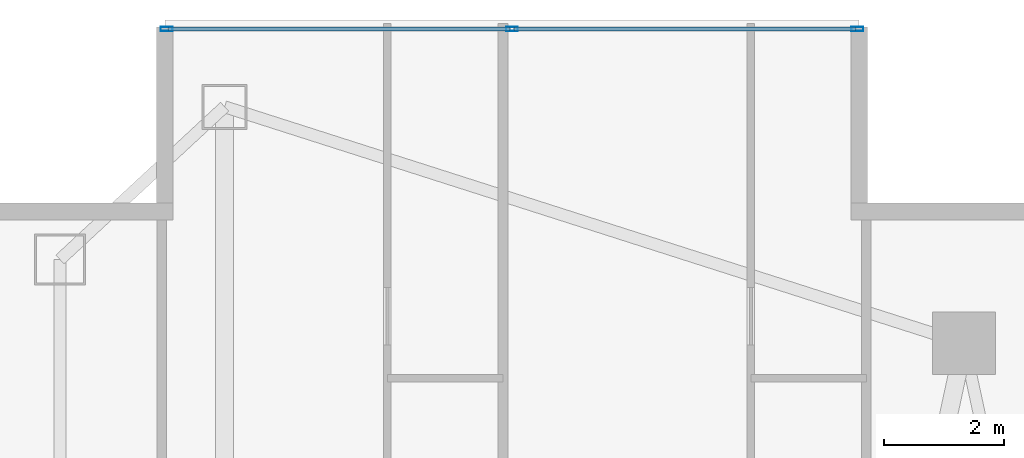
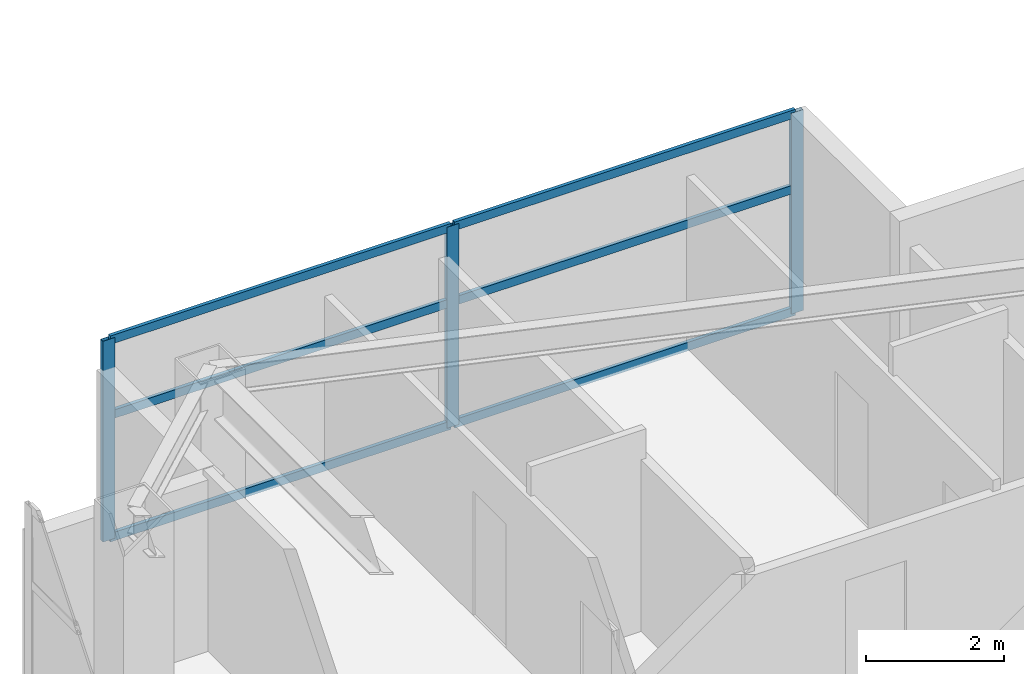
# One storey, part 19 of 28: 9 members, 1 element without a shape of its own.
"""IFC4 building model written with IfcOpenShell, lengths in metres."""

from ifc_helpers import new_model, si_unit, direction, frame, origin, origin_2d, place, context, subcontext, project, spatial, hollow_rectangle, extrude, material, layer, layer_set, material_profile, profile_set, type_object, element, aggregate, save


model = new_model("IFC4")

# Units and contexts
model_context = context("Model", 3, precision=1e-05, world=origin(), true_north=direction((0.0, 1.0)))
body_context = subcontext(model_context, "Body", "Model", "MODEL_VIEW")
ifc_project = project(units=[si_unit("LENGTHUNIT", "METRE"), si_unit("AREAUNIT", "SQUARE_METRE"), si_unit("VOLUMEUNIT", "CUBIC_METRE"), si_unit("PLANEANGLEUNIT", "RADIAN"), si_unit("MASSUNIT", "GRAM", prefix="KILO")], contexts=[model_context])

# Site, building, storey
site_placement = place(None, origin())
site = spatial("IfcSite", under=ifc_project, at=site_placement, CompositionType="ELEMENT")
building_placement = place(site_placement, origin())
building = spatial("IfcBuilding", under=site, at=building_placement, Name="Calvorn Quay Hotel", CompositionType="ELEMENT")
storey_placement = place(building_placement, frame((0.0, 0.0, 101.199951171875)))
storey = spatial("IfcBuildingStorey", under=building, at=storey_placement, Name="L24", CompositionType="ELEMENT", Elevation=101.199951171875)

# Curtain wall, members
ifc_material_1 = material(Name="Pale Anodised Aluminium and Low-E Glass", Category="aluminium")
ifc_layer = layer(ifc_material_1, 0.219970703125)
ifc_layer_set = layer_set([ifc_layer], Name="CW-SYS-Z2")
curtain_wall_type = type_object("IfcCurtainWallType", Name="CW-SYS-Z2", PredefinedType="NOTDEFINED", material=ifc_layer_set)
curtain_wall_placement = place(storey_placement, origin())
curtain_wall = element("IfcCurtainWall", 1, at=curtain_wall_placement, inside=storey, type_object=curtain_wall_type, Name="Inner Court Curtain Wall L24-N1", PredefinedType="NOTDEFINED")
ifc_material_2 = material(Name="Pale Anodised Aluminium 6063-T6", Category="aluminium")
ifc_material_profile_1 = material_profile(ifc_material_2, hollow_rectangle(XDim=0.070068359375, YDim=0.199951171875, WallThickness=0.00390625, at=origin_2d()), Name="ALU-M200x70x4")
ifc_profile_set_1 = profile_set([ifc_material_profile_1], Name="Pale Anodised Aluminium 6063-T6")
member_type_1 = type_object("IfcMemberType", Name="CW-SYS-Z2-MUL", PredefinedType="MULLION", material=ifc_profile_set_1)
member_1_placement = place(storey_placement, frame((14.77001953125, 50.85009765625, 0.0), z_axis=(0.0, 0.0, 1.0), x_axis=(0.0, -1.0, 0.0)))
member_1 = element("IfcMember", 2, at=member_1_placement, type_object=member_type_1, Name="CW-L24-N1 mullion 1", PredefinedType="MULLION", context=body_context, shape_type="SweptSolid", body=[
    extrude(hollow_rectangle(XDim=0.070068359375, YDim=0.199951171875, WallThickness=0.00390625, at=origin_2d()), origin(), (0.0, 0.0, 1.0), 3.56005859375),
])
member_2_placement = place(storey_placement, frame((9.0, 50.85009765625, 0.0), z_axis=(0.0, 0.0, 1.0), x_axis=(0.0, -1.0, 0.0)))
member_2 = element("IfcMember", 3, at=member_2_placement, type_object=member_type_1, Name="CW-L24-N1 mullion 2", PredefinedType="MULLION", context=body_context, shape_type="SweptSolid", body=[
    extrude(hollow_rectangle(XDim=0.070068359375, YDim=0.199951171875, WallThickness=0.00390625, at=origin_2d()), origin(), (0.0, 0.0, 1.0), 3.56005859375),
])
member_3_placement = place(storey_placement, frame((3.22998046875, 50.85009765625, 0.0), z_axis=(0.0, 0.0, 1.0), x_axis=(0.0, -1.0, 0.0)))
member_3 = element("IfcMember", 4, at=member_3_placement, type_object=member_type_1, Name="CW-L24-N1 mullion 3", PredefinedType="MULLION", context=body_context, shape_type="SweptSolid", body=[
    extrude(hollow_rectangle(XDim=0.070068359375, YDim=0.199951171875, WallThickness=0.00390625, at=origin_2d()), origin(), (0.0, 0.0, 1.0), 3.56005859375),
])
ifc_material_3 = material(Name="Pale Anodised Aluminium 6063-T6", Category="aluminium")
ifc_material_profile_2 = material_profile(ifc_material_3, hollow_rectangle(XDim=0.06005859375, YDim=0.14990234375, WallThickness=0.00341796875, at=origin_2d()), Name="ALU-T150x60x3.5")
ifc_profile_set_2 = profile_set([ifc_material_profile_2], Name="Pale Anodised Aluminium 6063-T6")
member_type_2 = type_object("IfcMemberType", Name="CW-SYS-Z2-TRN", PredefinedType="USERDEFINED", material=ifc_profile_set_2)
member_4_placement = place(storey_placement, frame((14.739990234375, 50.85009765625, 0.030029296875), z_axis=(-1.0, 0.0, 0.0), x_axis=(0.0, -1.0, 0.0)))
member_4 = element("IfcMember", 5, at=member_4_placement, type_object=member_type_2, Name="CW-L24-N1 transom 1.1", ObjectType="TRANSOM", PredefinedType="USERDEFINED", context=body_context, shape_type="SweptSolid", body=[
    extrude(hollow_rectangle(XDim=0.06005859375, YDim=0.14990234375, WallThickness=0.00341796875, at=origin_2d()), origin(), (0.0, 0.0, 1.0), 5.7099609375),
])
member_5_placement = place(storey_placement, frame((14.739990234375, 50.85009765625, 2.199951171875), z_axis=(-1.0, 0.0, 0.0), x_axis=(0.0, -1.0, 0.0)))
member_5 = element("IfcMember", 6, at=member_5_placement, type_object=member_type_2, Name="CW-L24-N1 transom 1.2", ObjectType="TRANSOM", PredefinedType="USERDEFINED", context=body_context, shape_type="SweptSolid", body=[
    extrude(hollow_rectangle(XDim=0.06005859375, YDim=0.14990234375, WallThickness=0.00341796875, at=origin_2d()), origin(), (0.0, 0.0, 1.0), 5.7099609375),
])
member_6_placement = place(storey_placement, frame((14.739990234375, 50.85009765625, 3.530029296875), z_axis=(-1.0, 0.0, 0.0), x_axis=(0.0, -1.0, 0.0)))
member_6 = element("IfcMember", 7, at=member_6_placement, type_object=member_type_2, Name="CW-L24-N1 transom 1.3", ObjectType="TRANSOM", PredefinedType="USERDEFINED", context=body_context, shape_type="SweptSolid", body=[
    extrude(hollow_rectangle(XDim=0.06005859375, YDim=0.14990234375, WallThickness=0.00341796875, at=origin_2d()), origin(), (0.0, 0.0, 1.0), 5.7099609375),
])
member_7_placement = place(storey_placement, frame((8.969970703125, 50.85009765625, 0.030029296875), z_axis=(-1.0, 0.0, 0.0), x_axis=(0.0, -1.0, 0.0)))
member_7 = element("IfcMember", 8, at=member_7_placement, type_object=member_type_2, Name="CW-L24-N1 transom 2.1", ObjectType="TRANSOM", PredefinedType="USERDEFINED", context=body_context, shape_type="SweptSolid", body=[
    extrude(hollow_rectangle(XDim=0.06005859375, YDim=0.14990234375, WallThickness=0.00341796875, at=origin_2d()), origin(), (0.0, 0.0, 1.0), 5.7099609375),
])
member_8_placement = place(storey_placement, frame((8.969970703125, 50.85009765625, 2.199951171875), z_axis=(-1.0, 0.0, 0.0), x_axis=(0.0, -1.0, 0.0)))
member_8 = element("IfcMember", 9, at=member_8_placement, type_object=member_type_2, Name="CW-L24-N1 transom 2.2", ObjectType="TRANSOM", PredefinedType="USERDEFINED", context=body_context, shape_type="SweptSolid", body=[
    extrude(hollow_rectangle(XDim=0.06005859375, YDim=0.14990234375, WallThickness=0.00341796875, at=origin_2d()), origin(), (0.0, 0.0, 1.0), 5.7099609375),
])
member_9_placement = place(storey_placement, frame((8.969970703125, 50.85009765625, 3.530029296875), z_axis=(-1.0, 0.0, 0.0), x_axis=(0.0, -1.0, 0.0)))
member_9 = element("IfcMember", 10, at=member_9_placement, type_object=member_type_2, Name="CW-L24-N1 transom 2.3", ObjectType="TRANSOM", PredefinedType="USERDEFINED", context=body_context, shape_type="SweptSolid", body=[
    extrude(hollow_rectangle(XDim=0.06005859375, YDim=0.14990234375, WallThickness=0.00341796875, at=origin_2d()), origin(), (0.0, 0.0, 1.0), 5.7099609375),
])
aggregate(curtain_wall, [member_1, member_2, member_3, member_4, member_5, member_6, member_7, member_8, member_9])

save(model, "model.ifc")
